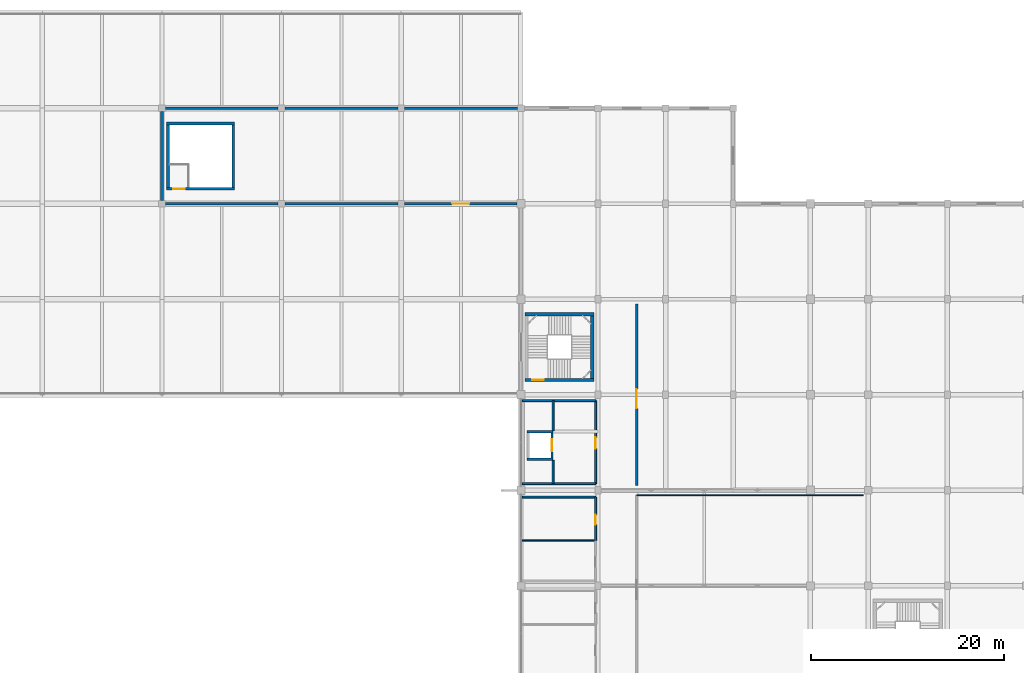
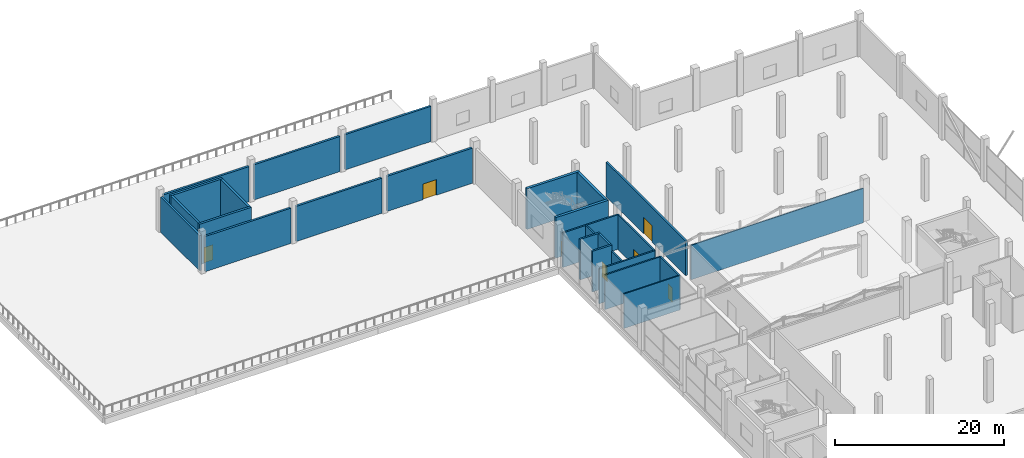
# One storey, part 28 of 46: 27 walls, 7 doors, 7 openings.
"""IFC4 building model written with IfcOpenShell, lengths in metres."""

from ifc_helpers import new_model, si_unit, direction, frame, frame_2d, origin, place, context, subcontext, project, spatial, rectangle, extrude, material, layer, layer_set, type_object, element, fill, save


model = new_model("IFC4")

# Units and contexts
model_context = context("Model", 3, precision=1e-05, world=origin(), true_north=direction((0.0, 1.0)))
body_context = subcontext(model_context, "Body", "Model", "MODEL_VIEW")
ifc_project = project(units=[si_unit("LENGTHUNIT", "METRE"), si_unit("AREAUNIT", "SQUARE_METRE"), si_unit("VOLUMEUNIT", "CUBIC_METRE"), si_unit("PLANEANGLEUNIT", "RADIAN"), si_unit("MASSUNIT", "GRAM", prefix="KILO")], contexts=[model_context])

# Site, building, storey
site_placement = place(None, origin())
site = spatial("IfcSite", under=ifc_project, at=site_placement, CompositionType="ELEMENT")
building_placement = place(site_placement, origin())
building = spatial("IfcBuilding", under=site, at=building_placement, Name="Sillaruma Civic Art Gallery", CompositionType="ELEMENT")
storey_placement = place(building_placement, frame((0.0, 0.0, 16.320068359375)))
storey = spatial("IfcBuildingStorey", under=building, at=storey_placement, Name="L03", CompositionType="ELEMENT", Elevation=16.320068359375)

# Wall, opening, door
ifc_material_1 = material(Name="Concrete H40 (40 MPa)", Category="concrete")
ifc_layer_1 = layer(ifc_material_1, 0.300048828125, Name="Concrete H40 (40 MPa)")
ifc_layer_set_1 = layer_set([ifc_layer_1], Name="Concrete H40 (40 MPa)")
wall_type_1 = type_object("IfcWallType", Name="WAL-CORE-300", PredefinedType="SHEAR", material=ifc_layer_set_1)
wall_1_placement = place(storey_placement, frame((25.260009765625, 100.550048828125, 0.0), z_axis=(0.0, 0.0, 1.0), x_axis=(1.0, 0.0, 0.0)))
wall_1 = element("IfcWall", 1, at=wall_1_placement, inside=storey, type_object=wall_type_1, Name="Stair Core Shear Wall W-CORE-300 (ST-01:L03:S)", PredefinedType="SHEAR", context=body_context, shape_type="SweptSolid", body=[
    extrude(rectangle(XDim=7.080078125, YDim=0.300048828125, at=frame_2d((3.5400390625, 0.0))), origin(), (0.0, 0.0, 1.0), 5.85986328125),
])
opening_1_placement = place(wall_1_placement, frame((0.719970703125, 0.0, 0.0)))
opening_1 = element("IfcOpeningElement", 2, at=opening_1_placement, cuts=wall_1, Name="Opening D-STAIR", PredefinedType="OPENING", context=body_context, shape_type="SweptSolid", body=[
    extrude(rectangle(XDim=1.199951171875, YDim=2.199951171875, at=frame_2d((0.60009765625, 1.10009765625))), frame((0.0, 0.159912109375, 0.0), z_axis=(0.0, -1.0, 0.0), x_axis=(1.0, 0.0, 0.0)), (0.0, 0.0, 1.0), 0.320068359375),
])
ifc_material_2 = material(Name="Galvanised Steel ASTM A653 Gr.50", Category="steel")
door_type_1 = type_object("IfcDoorType", Name="DOR-STAIR-120", OperationType="NOTDEFINED", PredefinedType="DOOR", material=ifc_material_2)
door_1_placement = place(opening_1_placement, origin())
door_1 = element("IfcDoor", 3, at=door_1_placement, inside=storey, type_object=door_type_1, Name="Protected Stair Fire Door (ST-01:L03)", OperationType="SINGLE_SWING_LEFT", OverallHeight=2.199951171875, OverallWidth=1.199951171875, PredefinedType="DOOR", context=body_context, shape_type="SweptSolid", body=[
    extrude(rectangle(XDim=1.199951171875, YDim=2.199951171875, at=frame_2d((0.60009765625, 1.10009765625))), frame((0.0, 0.02490234375, 0.0), z_axis=(0.0, -1.0, 0.0), x_axis=(1.0, 0.0, 0.0)), (0.0, 0.0, 1.0), 0.050048828125),
])
fill(opening_1, door_1)

# Walls
wall_2_placement = place(storey_placement, frame((25.260009765625, 107.330078125, 0.0), z_axis=(0.0, 0.0, 1.0), x_axis=(1.0, 0.0, 0.0)))
element("IfcWall", 4, at=wall_2_placement, inside=storey, type_object=wall_type_1, Name="Stair Core Shear Wall W-CORE-300 (ST-01:L03:N)", PredefinedType="SHEAR", context=body_context, shape_type="SweptSolid", body=[
    extrude(rectangle(XDim=7.080078125, YDim=0.300048828125, at=frame_2d((3.5400390625, 0.0))), origin(), (0.0, 0.0, 1.0), 5.85986328125),
])
for number, where, z_axis, x_axis, name in (
    (5, (25.409912109375, 100.699951171875, 0.0), (0.0, 0.0, 1.0), (0.0, 1.0, 0.0), "Stair Core Shear Wall W-CORE-300 (ST-01:L03:W)"),
    (6, (32.18994140625, 100.699951171875, 0.0), (0.0, 0.0, 1.0), (0.0, 1.0, 0.0), "Stair Core Shear Wall W-CORE-300 (ST-01:L03:E)"),
):
    element("IfcWall", number, at=place(storey_placement, frame(where, z_axis=z_axis, x_axis=x_axis)), inside=storey, type_object=wall_type_1, Name=name, PredefinedType="SHEAR", context=body_context, shape_type="SweptSolid", body=[
        extrude(rectangle(XDim=6.47998046875, YDim=0.300048828125, at=frame_2d((3.239990234375, 0.0))), origin(), (0.0, 0.0, 1.0), 5.85986328125),
    ])

# Wall, opening, door
ifc_layer_2 = layer(ifc_material_1, 0.35009765625, Name="Concrete H40 (40 MPa)")
ifc_layer_set_2 = layer_set([ifc_layer_2], Name="Concrete H40 (40 MPa)")
wall_type_2 = type_object("IfcWallType", Name="WAL-CORE-350", PredefinedType="SHEAR", material=ifc_layer_set_2)
wall_3_placement = place(storey_placement, frame((62.409912109375, 80.735107421875, 0.0), z_axis=(0.0, 0.0, 1.0), x_axis=(1.0, 0.0, 0.0)))
wall_3 = element("IfcWall", 7, at=wall_3_placement, inside=storey, type_object=wall_type_2, Name="Stair Core Shear Wall W-CORE-350 (ST-02:L03:S)", PredefinedType="SHEAR", context=body_context, shape_type="SweptSolid", body=[
    extrude(rectangle(XDim=7.18017578125, YDim=0.35009765625, at=frame_2d((3.590087890625, 0.0))), origin(), (0.0, 0.0, 1.0), 5.85986328125),
])
opening_2_placement = place(wall_3_placement, frame((0.77001953125, 0.0, 0.0)))
opening_2 = element("IfcOpeningElement", 8, at=opening_2_placement, cuts=wall_3, Name="Opening D-STAIR", PredefinedType="OPENING", context=body_context, shape_type="SweptSolid", body=[
    extrude(rectangle(XDim=1.199951171875, YDim=2.199951171875, at=frame_2d((0.60009765625, 1.10009765625))), frame((0.0, 0.18505859375, 0.0), z_axis=(0.0, -1.0, 0.0), x_axis=(1.0, 0.0, 0.0)), (0.0, 0.0, 1.0), 0.3701171875),
])
door_2_placement = place(opening_2_placement, origin())
door_2 = element("IfcDoor", 9, at=door_2_placement, inside=storey, type_object=door_type_1, Name="Protected Stair Fire Door (ST-02:L03)", OperationType="SINGLE_SWING_LEFT", OverallHeight=2.199951171875, OverallWidth=1.199951171875, PredefinedType="DOOR", context=body_context, shape_type="SweptSolid", body=[
    extrude(rectangle(XDim=1.199951171875, YDim=2.199951171875, at=frame_2d((0.60009765625, 1.10009765625))), frame((0.0, 0.02490234375, 0.0), z_axis=(0.0, -1.0, 0.0), x_axis=(1.0, 0.0, 0.0)), (0.0, 0.0, 1.0), 0.050048828125),
])
fill(opening_2, door_2)

# Walls
wall_4_placement = place(storey_placement, frame((62.409912109375, 87.56494140625, 0.0), z_axis=(0.0, 0.0, 1.0), x_axis=(1.0, 0.0, 0.0)))
element("IfcWall", 10, at=wall_4_placement, inside=storey, type_object=wall_type_2, Name="Stair Core Shear Wall W-CORE-350 (ST-02:L03:N)", PredefinedType="SHEAR", context=body_context, shape_type="SweptSolid", body=[
    extrude(rectangle(XDim=7.18017578125, YDim=0.35009765625, at=frame_2d((3.590087890625, 0.0))), origin(), (0.0, 0.0, 1.0), 5.85986328125),
])
wall_5_placement = place(storey_placement, frame((69.4150390625, 80.909912109375, 0.0), z_axis=(0.0, 0.0, 1.0), x_axis=(0.0, 1.0, 0.0)))
element("IfcWall", 11, at=wall_5_placement, inside=storey, type_object=wall_type_2, Name="Stair Core Shear Wall W-CORE-350 (ST-02:L03:E)", PredefinedType="SHEAR", context=body_context, shape_type="SweptSolid", body=[
    extrude(rectangle(XDim=6.47998046875, YDim=0.35009765625, at=frame_2d((3.239990234375, 0.0))), origin(), (0.0, 0.0, 1.0), 5.85986328125),
])
ifc_material_3 = material(Name="Concrete H35 (35 MPa)", Category="concrete")
ifc_layer_3 = layer(ifc_material_3, 0.159912109375, Name="Concrete backup", Category="concrete")
ifc_material_4 = material(Name="Mineral Wool Thermal Insulation", Category="insulation")
ifc_layer_4 = layer(ifc_material_4, 0.090087890625, Name="Thermal insulation", Category="insulation")
ifc_material_5 = material(Name="Anodised Zinc-Aluminium Alloy", Category="aluminium")
ifc_layer_5 = layer(ifc_material_5, 0.030029296875, Name="Rainscreen finish", Category="aluminium")
ifc_layer_set_3 = layer_set([ifc_layer_3, ifc_layer_4, ifc_layer_5], Name="W-EXT-280")
wall_type_3 = type_object("IfcWallType", Name="WAL-EXT-280", PredefinedType="SOLIDWALL", material=ifc_layer_set_3)
for number, where, z_axis, x_axis, name in (
    (12, (25.14990234375, 108.89990234375, 0.0), (0.0, 0.0, 1.0), (1.0, 0.0, 0.0), "Exterior Wall W-EXT-280 (EW-L03-HH1-N1)"),
    (13, (25.14990234375, 99.0, 0.0), (0.0, 0.0, 1.0), (1.0, 0.0, 0.0), "Exterior Wall W-EXT-280 (EW-L03-HH1-S1)"),
):
    element("IfcWall", number, at=place(storey_placement, frame(where, z_axis=z_axis, x_axis=x_axis)), inside=storey, type_object=wall_type_3, Name=name, PredefinedType="SOLIDWALL", context=body_context, shape_type="SweptSolid", body=[
        extrude(rectangle(XDim=11.7001953125, YDim=0.280029296875, at=frame_2d((5.85009765625, 0.0))), origin(), (0.0, 0.0, 1.0), 5.079833984375),
    ])
for number, where, z_axis, x_axis, name in (
    (14, (37.550048828125, 108.89990234375, 0.0), (0.0, 0.0, 1.0), (1.0, 0.0, 0.0), "Exterior Wall W-EXT-280 (EW-L03-HH1-N2)"),
    (15, (37.550048828125, 99.0, 0.0), (0.0, 0.0, 1.0), (1.0, 0.0, 0.0), "Exterior Wall W-EXT-280 (EW-L03-HH1-S2)"),
    (16, (49.949951171875, 108.89990234375, 0.0), (0.0, 0.0, 1.0), (1.0, 0.0, 0.0), "Exterior Wall W-EXT-280 (EW-L03-HH1-N3)"),
):
    element("IfcWall", number, at=place(storey_placement, frame(where, z_axis=z_axis, x_axis=x_axis)), inside=storey, type_object=wall_type_3, Name=name, PredefinedType="SOLIDWALL", context=body_context, shape_type="SweptSolid", body=[
        extrude(rectangle(XDim=11.699951171875, YDim=0.280029296875, at=frame_2d((5.85009765625, 0.0))), origin(), (0.0, 0.0, 1.0), 5.079833984375),
    ])

# Wall, opening, door
wall_6_placement = place(storey_placement, frame((49.949951171875, 99.0, 0.0), z_axis=(0.0, 0.0, 1.0), x_axis=(1.0, 0.0, 0.0)))
wall_6 = element("IfcWall", 17, at=wall_6_placement, inside=storey, type_object=wall_type_3, Name="Exterior Wall W-EXT-280 (EW-L03-HH1-S3)", PredefinedType="SOLIDWALL", context=body_context, shape_type="SweptSolid", body=[
    extrude(rectangle(XDim=11.625, YDim=0.280029296875, at=frame_2d((5.8125, 0.0))), origin(), (0.0, 0.0, 1.0), 5.079833984375),
])
opening_3_placement = place(wall_6_placement, frame((4.912109375, 0.0, 0.0)))
opening_3 = element("IfcOpeningElement", 18, at=opening_3_placement, cuts=wall_6, Name="Opening D-TER1", PredefinedType="OPENING", context=body_context, shape_type="SweptSolid", body=[
    extrude(rectangle(XDim=1.800048828125, YDim=2.25, at=frame_2d((0.89990234375, 1.125))), frame((0.0, 0.14990234375, 0.0), z_axis=(0.0, -1.0, 0.0), x_axis=(1.0, 0.0, 0.0)), (0.0, 0.0, 1.0), 0.300048828125),
])
ifc_material_6 = material(Name="Thermally Broken Extruded Aluminium 6063-T6", Category="aluminium")
door_type_2 = type_object("IfcDoorType", Name="DOR-TER-180", OperationType="NOTDEFINED", PredefinedType="DOOR", material=ifc_material_6)
door_3_placement = place(opening_3_placement, frame((1.800048828125, 0.0, 0.0), z_axis=(0.0, 0.0, 1.0), x_axis=(-1.0, 0.0, 0.0)))
door_3 = element("IfcDoor", 19, at=door_3_placement, inside=storey, type_object=door_type_2, Name="West Podium Sculpture Terrace Door", OperationType="DOUBLE_DOOR_SINGLE_SWING", OverallHeight=2.25, OverallWidth=1.800048828125, PredefinedType="DOOR", context=body_context, shape_type="SweptSolid", body=[
    extrude(rectangle(XDim=1.800048828125, YDim=2.25, at=frame_2d((0.89990234375, 1.125))), frame((0.0, 0.02490234375, 0.0), z_axis=(0.0, -1.0, 0.0), x_axis=(1.0, 0.0, 0.0)), (0.0, 0.0, 1.0), 0.050048828125),
])
fill(opening_3, door_3)

# Walls
wall_7_placement = place(storey_placement, frame((24.800048828125, 99.35009765625, 0.0), z_axis=(0.0, 0.0, 1.0), x_axis=(0.0, 1.0, 0.0)))
element("IfcWall", 20, at=wall_7_placement, inside=storey, type_object=wall_type_3, Name="Exterior Wall W-EXT-280 (EW-L03-HH1-W)", PredefinedType="SOLIDWALL", context=body_context, shape_type="SweptSolid", body=[
    extrude(rectangle(XDim=9.199951171875, YDim=0.280029296875, at=frame_2d((4.60009765625, 0.0))), origin(), (0.0, 0.0, 1.0), 5.079833984375),
])
ifc_material_7 = material(Name="Concrete Masonry Unit Grade M15", Category="masonry")
ifc_layer_6 = layer(ifc_material_7, 0.199951171875, Name="Concrete Masonry Unit Grade M15")
ifc_layer_set_4 = layer_set([ifc_layer_6], Name="Concrete Masonry Unit Grade M15")
wall_type_4 = type_object("IfcWallType", Name="WAL-LOBBY-200", PredefinedType="SOLIDWALL", material=ifc_layer_set_4)
for number, where, z_axis, x_axis, name in (
    (21, (62.14990234375, 70.0, 0.0), (0.0, 0.0, 1.0), (1.0, 0.0, 0.0), "Interior Wall W-LOBBY-200 (L03-FFL)"),
    (22, (62.14990234375, 78.60009765625, 0.0), (0.0, 0.0, 1.0), (1.0, 0.0, 0.0), "Interior Wall W-LOBBY-200 (L03-FFL)"),
):
    element("IfcWall", number, at=place(storey_placement, frame(where, z_axis=z_axis, x_axis=x_axis)), inside=storey, type_object=wall_type_4, Name=name, PredefinedType="SOLIDWALL", context=body_context, shape_type="SweptSolid", body=[
        extrude(rectangle(XDim=7.60009765625, YDim=0.199951171875, at=frame_2d((3.800048828125, 0.0))), origin(), (0.0, 0.0, 1.0), 4.97998046875),
    ])
wall_8_placement = place(storey_placement, frame((65.35009765625, 70.0, 0.0), z_axis=(0.0, 0.0, 1.0), x_axis=(0.0, 1.0, 0.0)))
element("IfcWall", 23, at=wall_8_placement, inside=storey, type_object=wall_type_4, Name="Interior Wall W-LOBBY-200 (L03-FFL)", PredefinedType="SOLIDWALL", context=body_context, shape_type="SweptSolid", body=[
    extrude(rectangle(XDim=2.39990234375, YDim=0.199951171875, at=frame_2d((1.199951171875, 0.0))), origin(), (0.0, 0.0, 1.0), 4.97998046875),
])
wall_9_placement = place(storey_placement, frame((65.35009765625, 75.5, 0.0), z_axis=(0.0, 0.0, 1.0), x_axis=(0.0, 1.0, 0.0)))
element("IfcWall", 24, at=wall_9_placement, inside=storey, type_object=wall_type_4, Name="Interior Wall W-LOBBY-200 (L03-FFL)", PredefinedType="SOLIDWALL", context=body_context, shape_type="SweptSolid", body=[
    extrude(rectangle(XDim=3.10009765625, YDim=0.199951171875, at=frame_2d((1.550048828125, 0.0))), origin(), (0.0, 0.0, 1.0), 4.97998046875),
])

# Wall, opening, door
wall_10_placement = place(storey_placement, frame((69.75, 70.0, 0.0), z_axis=(0.0, 0.0, 1.0), x_axis=(0.0, 1.0, 0.0)))
wall_10 = element("IfcWall", 25, at=wall_10_placement, inside=storey, type_object=wall_type_4, Name="Interior Wall W-LOBBY-200 (L03-FFL)", PredefinedType="SOLIDWALL", context=body_context, shape_type="SweptSolid", body=[
    extrude(rectangle(XDim=8.60009765625, YDim=0.199951171875, at=frame_2d((4.300048828125, 0.0))), origin(), (0.0, 0.0, 1.0), 4.97998046875),
])
opening_4_placement = place(wall_10_placement, frame((3.60009765625, 0.0, 0.0)))
opening_4 = element("IfcOpeningElement", 26, at=opening_4_placement, cuts=wall_10, Name="Opening D-FFL", PredefinedType="OPENING", context=body_context, shape_type="SweptSolid", body=[
    extrude(rectangle(XDim=1.199951171875, YDim=2.25, at=frame_2d((0.60009765625, 1.125))), frame((0.0, 0.10986328125, 0.0), z_axis=(0.0, -1.0, 0.0), x_axis=(1.0, 0.0, 0.0)), (0.0, 0.0, 1.0), 0.219970703125),
])
door_type_3 = type_object("IfcDoorType", Name="DOR-FFL-120", OperationType="NOTDEFINED", PredefinedType="DOOR", material=ifc_material_2)
door_4_placement = place(opening_4_placement, origin())
door_4 = element("IfcDoor", 27, at=door_4_placement, inside=storey, type_object=door_type_3, Name="Firefighting Lobby Door (D-FFL)", OperationType="SINGLE_SWING_RIGHT", OverallHeight=2.25, OverallWidth=1.199951171875, PredefinedType="DOOR", context=body_context, shape_type="SweptSolid", body=[
    extrude(rectangle(XDim=1.199951171875, YDim=2.25, at=frame_2d((0.60009765625, 1.125))), frame((0.0, 0.02490234375, 0.0), z_axis=(0.0, -1.0, 0.0), x_axis=(1.0, 0.0, 0.0)), (0.0, 0.0, 1.0), 0.050048828125),
])
fill(opening_4, door_4)

# Wall
wall_11_placement = place(storey_placement, frame((62.14990234375, 68.60009765625, 0.0), z_axis=(0.0, 0.0, 1.0), x_axis=(1.0, 0.0, 0.0)))
element("IfcWall", 28, at=wall_11_placement, inside=storey, type_object=wall_type_4, Name="Interior Wall W-LOBBY-200 (L03-RSR)", PredefinedType="SOLIDWALL", context=body_context, shape_type="SweptSolid", body=[
    extrude(rectangle(XDim=7.60009765625, YDim=0.199951171875, at=frame_2d((3.800048828125, 0.0))), origin(), (0.0, 0.0, 1.0), 4.97998046875),
])

# Wall, opening, door
wall_12_placement = place(storey_placement, frame((69.75, 64.10009765625, 0.0), z_axis=(0.0, 0.0, 1.0), x_axis=(0.0, 1.0, 0.0)))
wall_12 = element("IfcWall", 29, at=wall_12_placement, inside=storey, type_object=wall_type_4, Name="Interior Wall W-LOBBY-200 (L03-RSR)", PredefinedType="SOLIDWALL", context=body_context, shape_type="SweptSolid", body=[
    extrude(rectangle(XDim=4.5, YDim=0.199951171875, at=frame_2d((2.25, 0.0))), origin(), (0.0, 0.0, 1.0), 4.97998046875),
])
opening_5_placement = place(wall_12_placement, frame((1.64990234375, 0.0, 0.0)))
opening_5 = element("IfcOpeningElement", 30, at=opening_5_placement, cuts=wall_12, Name="Opening D-RISER", PredefinedType="OPENING", context=body_context, shape_type="SweptSolid", body=[
    extrude(rectangle(XDim=1.0, YDim=2.14990234375, at=frame_2d((0.5, 1.074951171875))), frame((0.0, 0.10986328125, 0.0), z_axis=(0.0, -1.0, 0.0), x_axis=(1.0, 0.0, 0.0)), (0.0, 0.0, 1.0), 0.219970703125),
])
door_type_4 = type_object("IfcDoorType", Name="DOR-RISER-100", OperationType="NOTDEFINED", PredefinedType="DOOR", material=ifc_material_2)
door_5_placement = place(opening_5_placement, origin())
door_5 = element("IfcDoor", 31, at=door_5_placement, inside=storey, type_object=door_type_4, Name="MEP Service Riser Door (D-RISER)", OperationType="SINGLE_SWING_RIGHT", OverallHeight=2.14990234375, OverallWidth=1.0, PredefinedType="DOOR", context=body_context, shape_type="SweptSolid", body=[
    extrude(rectangle(XDim=1.0, YDim=2.14990234375, at=frame_2d((0.5, 1.074951171875))), frame((0.0, 0.02490234375, 0.0), z_axis=(0.0, -1.0, 0.0), x_axis=(1.0, 0.0, 0.0)), (0.0, 0.0, 1.0), 0.050048828125),
])
fill(opening_5, door_5)

# Walls
ifc_material_8 = material(Name="Gypsum Acoustic Board", Category="gypsum")
ifc_layer_7 = layer(ifc_material_8, 0.02490234375, Name="Finish board", Category="gypsum")
ifc_layer_8 = layer(ifc_material_4, 0.06005859375, Name="Acoustic core", Category="insulation")
ifc_material_9 = material(Name="Andean Oak Timber", Category="wood")
ifc_layer_9 = layer(ifc_material_9, 0.02490234375, Name="Gallery lining", Category="wood")
ifc_layer_set_5 = layer_set([ifc_layer_7, ifc_layer_8, ifc_layer_9], Name="W-PT-110")
wall_type_5 = type_object("IfcWallType", Name="WAL-PART-110", PredefinedType="PARTITIONING", material=ifc_layer_set_5)
wall_13_placement = place(storey_placement, frame((74.0, 68.800048828125, 0.0), z_axis=(0.0, 0.0, 1.0), x_axis=(1.0, 0.0, 0.0)))
element("IfcWall", 32, at=wall_13_placement, inside=storey, type_object=wall_type_5, Name="Interior Wall W-PT-110 (L03-GAL31)", PredefinedType="PARTITIONING", context=body_context, shape_type="SweptSolid", body=[
    extrude(rectangle(XDim=23.5, YDim=0.110107421875, at=frame_2d((11.75, 0.0))), origin(), (0.0, 0.0, 1.0), 4.97998046875),
])
ifc_layer_10 = layer(ifc_material_8, 0.02490234375, Name="Finish board", Category="gypsum")
ifc_layer_11 = layer(ifc_material_4, 0.10009765625, Name="Acoustic core", Category="insulation")
ifc_layer_12 = layer(ifc_material_9, 0.02490234375, Name="Gallery lining", Category="wood")
ifc_layer_set_6 = layer_set([ifc_layer_10, ifc_layer_11, ifc_layer_12], Name="W-PT-150")
wall_type_6 = type_object("IfcWallType", Name="WAL-PART-150", PredefinedType="PARTITIONING", material=ifc_layer_set_6)
wall_14_placement = place(storey_placement, frame((62.14990234375, 64.10009765625, 0.0), z_axis=(0.0, 0.0, 1.0), x_axis=(1.0, 0.0, 0.0)))
element("IfcWall", 33, at=wall_14_placement, inside=storey, type_object=wall_type_6, Name="Interior Wall W-PT-150 (L03-CLN)", PredefinedType="PARTITIONING", context=body_context, shape_type="SweptSolid", body=[
    extrude(rectangle(XDim=7.60009765625, YDim=0.14990234375, at=frame_2d((3.800048828125, 0.0))), origin(), (0.0, 0.0, 1.0), 4.97998046875),
])
ifc_layer_13 = layer(ifc_material_1, 0.25, Name="Concrete H40 (40 MPa)")
ifc_layer_set_7 = layer_set([ifc_layer_13], Name="Concrete H40 (40 MPa)")
wall_type_7 = type_object("IfcWallType", Name="WAL-SHAFT-250", PredefinedType="SOLIDWALL", material=ifc_layer_set_7)
for number, where, z_axis, x_axis, name in (
    (34, (62.64990234375, 72.52490234375, 0.0), (0.0, 0.0, 1.0), (1.0, 0.0, 0.0), "Lift Shaft Wall W-SHAFT-250 (FFL-01:L03:S)"),
    (35, (62.64990234375, 75.375, 0.0), (0.0, 0.0, 1.0), (1.0, 0.0, 0.0), "Lift Shaft Wall W-SHAFT-250 (FFL-01:L03:N)"),
):
    element("IfcWall", number, at=place(storey_placement, frame(where, z_axis=z_axis, x_axis=x_axis)), inside=storey, type_object=wall_type_7, Name=name, PredefinedType="SOLIDWALL", context=body_context, shape_type="SweptSolid", body=[
        extrude(rectangle(XDim=2.7001953125, YDim=0.25, at=frame_2d((1.35009765625, 0.0))), origin(), (0.0, 0.0, 1.0), 5.83984375),
    ])

# Wall, opening, door
wall_15_placement = place(storey_placement, frame((65.22509765625, 72.64990234375, 0.0), z_axis=(0.0, 0.0, 1.0), x_axis=(0.0, 1.0, 0.0)))
wall_15 = element("IfcWall", 36, at=wall_15_placement, inside=storey, type_object=wall_type_7, Name="Lift Shaft Wall W-SHAFT-250 (FFL-01:L03:E)", PredefinedType="SOLIDWALL", context=body_context, shape_type="SweptSolid", body=[
    extrude(rectangle(XDim=2.60009765625, YDim=0.25, at=frame_2d((1.300048828125, 0.0))), origin(), (0.0, 0.0, 1.0), 5.83984375),
])
opening_6_placement = place(wall_15_placement, frame((0.675048828125, 0.0, 0.0)))
opening_6 = element("IfcOpeningElement", 37, at=opening_6_placement, cuts=wall_15, Name="Opening LD-02", PredefinedType="OPENING", context=body_context, shape_type="SweptSolid", body=[
    extrude(rectangle(XDim=1.25, YDim=2.199951171875, at=frame_2d((0.625, 1.10009765625))), frame((0.0, 0.135009765625, 0.0), z_axis=(0.0, -1.0, 0.0), x_axis=(1.0, 0.0, 0.0)), (0.0, 0.0, 1.0), 0.27001953125),
])
door_type_5 = type_object("IfcDoorType", Name="DOR-LD-02", OperationType="NOTDEFINED", PredefinedType="DOOR", material=ifc_material_2)
door_6_placement = place(opening_6_placement, origin())
door_6 = element("IfcDoor", 38, at=door_6_placement, inside=storey, type_object=door_type_5, Name="Lift Sliding Landing Door LD-02 (FFL-01:L03)", OperationType="DOUBLE_DOOR_SLIDING", OverallHeight=2.199951171875, OverallWidth=1.25, PredefinedType="DOOR", context=body_context, shape_type="SweptSolid", body=[
    extrude(rectangle(XDim=1.25, YDim=2.199951171875, at=frame_2d((0.625, 1.10009765625))), frame((0.0, 0.02490234375, 0.0), z_axis=(0.0, -1.0, 0.0), x_axis=(1.0, 0.0, 0.0)), (0.0, 0.0, 1.0), 0.050048828125),
])
fill(opening_6, door_6)

ifc_layer_14 = layer(ifc_material_7, 0.2548828125, Name="Concrete Masonry Unit Grade M15")
ifc_layer_set_8 = layer_set([ifc_layer_14], Name="Concrete Masonry Unit Grade M15")
wall_type_8 = type_object("IfcWallType", Name="WAL-STORE-250", PredefinedType="SOLIDWALL", material=ifc_layer_set_8)
wall_16_placement = place(storey_placement, frame((74.0, 69.800048828125, 0.0), z_axis=(0.0, 0.0, 1.0), x_axis=(0.0, 1.0, 0.0)))
wall_16 = element("IfcWall", 39, at=wall_16_placement, inside=storey, type_object=wall_type_8, Name="Interior Wall W-STORE-250 (L03-STR31)", PredefinedType="SOLIDWALL", context=body_context, shape_type="SweptSolid", body=[
    extrude(rectangle(XDim=18.800048828125, YDim=0.2548828125, at=frame_2d((9.39990234375, 0.0))), origin(), (0.0, 0.0, 1.0), 4.97998046875),
])
opening_7_placement = place(wall_16_placement, frame((8.0, 0.0, 0.0)))
opening_7 = element("IfcOpeningElement", 40, at=opening_7_placement, cuts=wall_16, Name="Opening D-STORE", PredefinedType="OPENING", context=body_context, shape_type="SweptSolid", body=[
    extrude(rectangle(XDim=2.0, YDim=2.39990234375, at=frame_2d((1.0, 1.199951171875))), frame((0.0, 0.137451171875, 0.0), z_axis=(0.0, -1.0, 0.0), x_axis=(1.0, 0.0, 0.0)), (0.0, 0.0, 1.0), 0.27490234375),
])
door_type_6 = type_object("IfcDoorType", Name="DOR-STORE-200", OperationType="NOTDEFINED", PredefinedType="DOOR", material=ifc_material_2)
door_7_placement = place(opening_7_placement, origin())
door_7 = element("IfcDoor", 41, at=door_7_placement, inside=storey, type_object=door_type_6, Name="Large-Format Sculpture Art Store Door (D-STORE)", OperationType="DOUBLE_DOOR_SINGLE_SWING", OverallHeight=2.39990234375, OverallWidth=2.0, PredefinedType="DOOR", context=body_context, shape_type="SweptSolid", body=[
    extrude(rectangle(XDim=2.0, YDim=2.39990234375, at=frame_2d((1.0, 1.199951171875))), frame((0.0, 0.02490234375, 0.0), z_axis=(0.0, -1.0, 0.0), x_axis=(1.0, 0.0, 0.0)), (0.0, 0.0, 1.0), 0.050048828125),
])
fill(opening_7, door_7)

save(model, "model.ifc")
